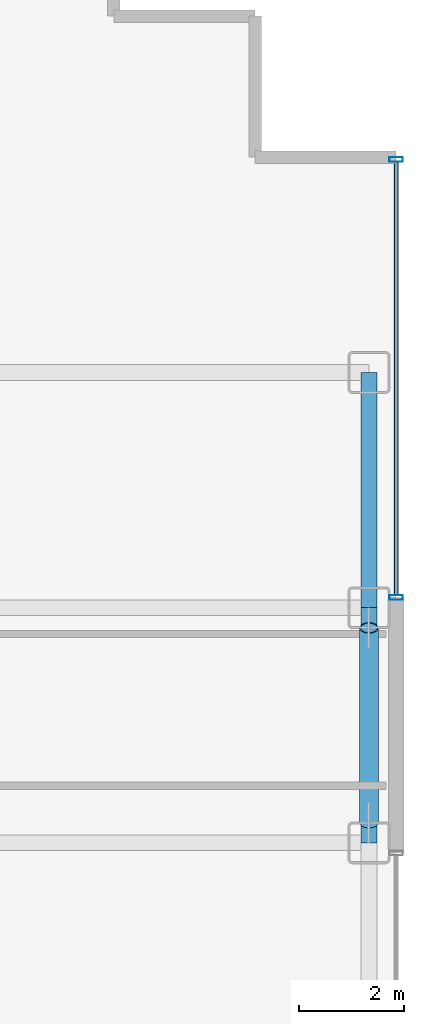
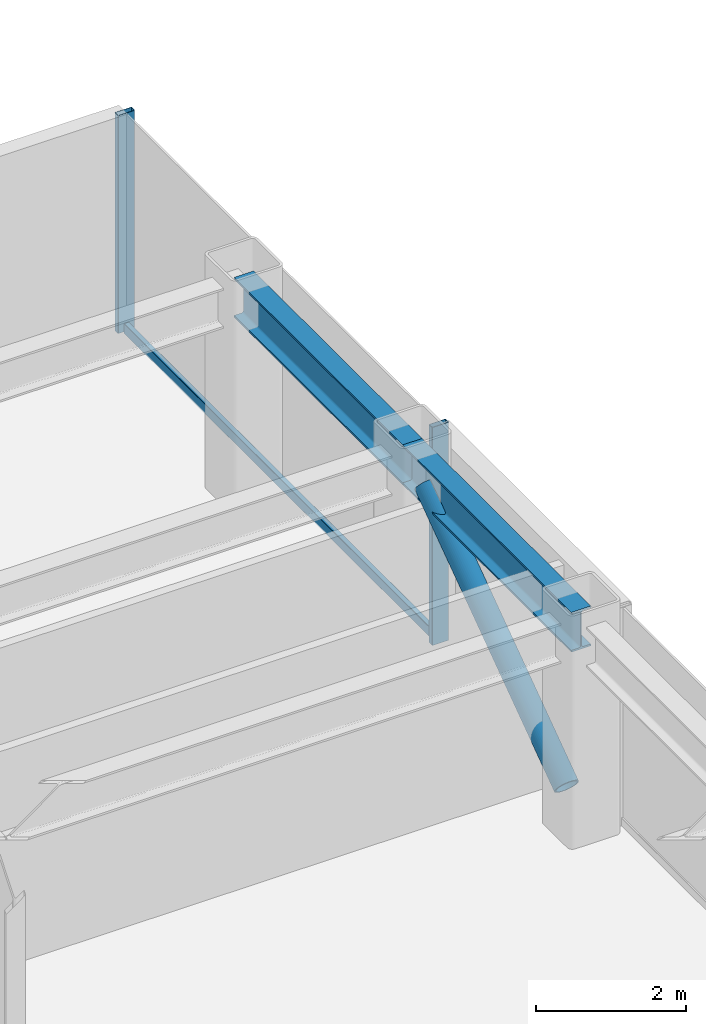
# One storey, part 19 of 29: 4 members, 2 beams, 1 element without a shape of its own.
"""IFC4 building model written with IfcOpenShell, lengths in metres."""

from ifc_helpers import new_model, si_unit, direction, frame, origin, origin_2d, place, context, subcontext, project, spatial, hollow_rectangle, hollow_circle, i_section, extrude, source, transform, mapped, material, layer, layer_set, material_profile, profile_set, type_object, element, aggregate, save


model = new_model("IFC4")

# Units and contexts
model_context = context("Model", 3, precision=1e-05, world=origin(), true_north=direction((0.0, 1.0)))
body_context = subcontext(model_context, "Body", "Model", "MODEL_VIEW")
ifc_project = project(units=[si_unit("LENGTHUNIT", "METRE"), si_unit("AREAUNIT", "SQUARE_METRE"), si_unit("VOLUMEUNIT", "CUBIC_METRE"), si_unit("PLANEANGLEUNIT", "RADIAN"), si_unit("MASSUNIT", "GRAM", prefix="KILO")], contexts=[model_context])

# Site, building, storey
site_placement = place(None, origin())
site = spatial("IfcSite", under=ifc_project, at=site_placement, CompositionType="ELEMENT")
building_placement = place(site_placement, origin())
building = spatial("IfcBuilding", under=site, at=building_placement, Name="Nefas-Gora Pilgrimage Tower", CompositionType="ELEMENT")
storey_placement = place(building_placement, frame((0.0, 0.0, 136.39990234375)))
storey = spatial("IfcBuildingStorey", under=building, at=storey_placement, Name="L33", CompositionType="ELEMENT", Elevation=136.39990234375)

# Beams
ifc_material_1 = material(Name="Steel S355", Category="steel")
ifc_material_profile_1 = material_profile(ifc_material_1, i_section(OverallWidth=0.300048828125, OverallDepth=0.64990234375, WebThickness=0.01611328125, FlangeThickness=0.031005859375, FilletRadius=0.027099609375, at=origin_2d()), Name="HEB 650")
ifc_profile_set_1 = profile_set([ifc_material_profile_1], Name="Steel S355")
beam_type = type_object("IfcBeamType", Name="BM-SPN-HEB500", PredefinedType="SPANDREL", material=ifc_profile_set_1)
shared_shape_1 = source(origin(), body_context, "Body", "SweptSolid", [
    extrude(i_section(OverallWidth=0.300048828125, OverallDepth=0.64990234375, WebThickness=0.01611328125, FlangeThickness=0.031005859375, FilletRadius=0.027099609375, at=origin_2d()), origin(), (0.0, 0.0, 1.0), 4.5),
])
for number, where, z_axis, x_axis, name in (
    (1, (33.75, 4.5, 3.22509765625), (0.0, 1.0, 0.0), (-1.0, 0.0, 0.0), "L33 SP-02 beam"),
    (2, (33.75, 9.0, 3.22509765625), (0.0, 1.0, 0.0), (-1.0, 0.0, 0.0), "L33 SP-02 beam"),
):
    element("IfcBeam", number, at=place(storey_placement, frame(where, z_axis=z_axis, x_axis=x_axis)), inside=storey, type_object=beam_type, Name=name, PredefinedType="SPANDREL", context=body_context, shape_type="MappedRepresentation", body=[
        mapped(shared_shape_1, transform((0.0, 0.0, 0.0), x_axis=(1.0, 0.0, 0.0), y_axis=(0.0, 1.0, 0.0), z_axis=(0.0, 0.0, 1.0), scale=1.0)),
    ])

# Member
ifc_material_2 = material(Name="Steel S460", Category="steel")
ifc_material_profile_2 = material_profile(ifc_material_2, hollow_circle(Radius=0.177734375, WallThickness=0.02001953125, at=origin_2d()), Name="CHS 355.6x20")
ifc_profile_set_2 = profile_set([ifc_material_profile_2], Name="Steel S460")
member_type_1 = type_object("IfcMemberType", Name="MEM-TUBE-356", PredefinedType="BRACE", material=ifc_profile_set_2)
shared_shape_2 = source(origin(), body_context, "Body", "SweptSolid", [
    extrude(hollow_circle(Radius=0.177734375, WallThickness=0.02001953125, at=origin_2d()), origin(), (0.0, 0.0, 1.0), 4.579345703125),
])
member_1_placement = place(storey_placement, frame((33.75, 4.887939453125, 0.427734375), z_axis=(0.0, 0.813246879171, 0.581918820385), x_axis=(-1.0, 0.0, 0.0)))
element("IfcMember", 3, at=member_1_placement, inside=storey, type_object=member_type_1, Name="L33 Perimeter Tube Diagonal Brace E2", PredefinedType="BRACE", context=body_context, shape_type="MappedRepresentation", body=[
    mapped(shared_shape_2, transform((0.0, 0.0, 0.0), x_axis=(1.0, 0.0, 0.0), y_axis=(0.0, 1.0, 0.0), z_axis=(0.0, 0.0, 1.0), scale=1.0)),
])

# Curtain wall, members
ifc_material_3 = material(Name="Dark ceramic-fritted solar-control aluminium-glass curtain wall", Category="aluminium")
ifc_layer = layer(ifc_material_3, 0.219970703125)
ifc_layer_set = layer_set([ifc_layer], Name="Dark ceramic-fritted solar-control aluminium-glass curtain wall")
curtain_wall_type = type_object("IfcCurtainWallType", Name="CW-SYS-2", PredefinedType="NOTDEFINED", material=ifc_layer_set)
curtain_wall_placement = place(storey_placement, origin())
curtain_wall = element("IfcCurtainWall", 4, at=curtain_wall_placement, inside=storey, type_object=curtain_wall_type, Name="L33 Unitised Curtain Wall CW2", PredefinedType="NOTDEFINED")
ifc_material_4 = material(Name="Anodised architectural aluminium", Category="aluminium")
ifc_material_profile_3 = material_profile(ifc_material_4, hollow_rectangle(XDim=0.090087890625, YDim=0.260009765625, WallThickness=0.006103515625, InnerFilletRadius=0.006103515625, OuterFilletRadius=0.011962890625, at=origin_2d()), Name="ALU MULLION 90x260")
ifc_profile_set_3 = profile_set([ifc_material_profile_3], Name="Anodised architectural aluminium")
member_type_2 = type_object("IfcMemberType", Name="CWM-MUL-2", PredefinedType="MULLION", material=ifc_profile_set_3)
shared_shape_3 = source(origin(), body_context, "Body", "SweptSolid", [
    extrude(hollow_rectangle(XDim=0.090087890625, YDim=0.260009765625, WallThickness=0.006103515625, InnerFilletRadius=0.006103515625, OuterFilletRadius=0.011962890625, at=origin_2d()), origin(), (0.0, 0.0, 1.0), 3.550048828125),
])
member_2_placement = place(storey_placement, frame((34.27001953125, 9.195068359375, 0.0), z_axis=(0.0, 0.0, 1.0), x_axis=(0.0, 1.0, 0.0)))
member_2 = element("IfcMember", 5, at=member_2_placement, type_object=member_type_2, Name="CW2 Mullion 1", PredefinedType="MULLION", context=body_context, shape_type="MappedRepresentation", body=[
    mapped(shared_shape_3, transform((0.0, 0.0, 0.0), x_axis=(1.0, 0.0, 0.0), y_axis=(0.0, 1.0, 0.0), z_axis=(0.0, 0.0, 1.0), scale=1.0)),
])
member_3_placement = place(storey_placement, frame((34.27001953125, 17.574951171875, 0.0), z_axis=(0.0, 0.0, 1.0), x_axis=(0.0, 1.0, 0.0)))
member_3 = element("IfcMember", 6, at=member_3_placement, type_object=member_type_2, Name="CW2 Mullion 2", PredefinedType="MULLION", context=body_context, shape_type="MappedRepresentation", body=[
    mapped(shared_shape_3, transform((0.0, 0.0, 0.0), x_axis=(1.0, 0.0, 0.0), y_axis=(0.0, 1.0, 0.0), z_axis=(0.0, 0.0, 1.0), scale=1.0)),
])
ifc_material_profile_4 = material_profile(ifc_material_4, hollow_rectangle(XDim=0.080078125, YDim=0.159912109375, WallThickness=0.00439453125, InnerFilletRadius=0.00439453125, OuterFilletRadius=0.009033203125, at=origin_2d()), Name="ALU TRANSOM 80x160")
ifc_profile_set_4 = profile_set([ifc_material_profile_4], Name="Anodised architectural aluminium")
member_type_3 = type_object("IfcMemberType", Name="CWM-TRN-2", PredefinedType="USERDEFINED", material=ifc_profile_set_4)
shared_shape_4 = source(origin(), body_context, "Body", "SweptSolid", [
    extrude(hollow_rectangle(XDim=0.080078125, YDim=0.159912109375, WallThickness=0.00439453125, InnerFilletRadius=0.00439453125, OuterFilletRadius=0.009033203125, at=origin_2d()), origin(), (0.0, 0.0, 1.0), 8.2900390625),
])
member_4_placement = place(storey_placement, frame((34.27001953125, 9.239990234375, 0.050048828125), z_axis=(0.0, 1.0, 0.0), x_axis=(-1.0, 0.0, 0.0)))
member_4 = element("IfcMember", 7, at=member_4_placement, type_object=member_type_3, Name="CW2 Spandrel Transom", ObjectType="TRANSOM", PredefinedType="USERDEFINED", context=body_context, shape_type="MappedRepresentation", body=[
    mapped(shared_shape_4, transform((0.0, 0.0, 0.0), x_axis=(1.0, 0.0, 0.0), y_axis=(0.0, 1.0, 0.0), z_axis=(0.0, 0.0, 1.0), scale=1.0)),
])
aggregate(curtain_wall, [member_2, member_3, member_4])

save(model, "model.ifc")
